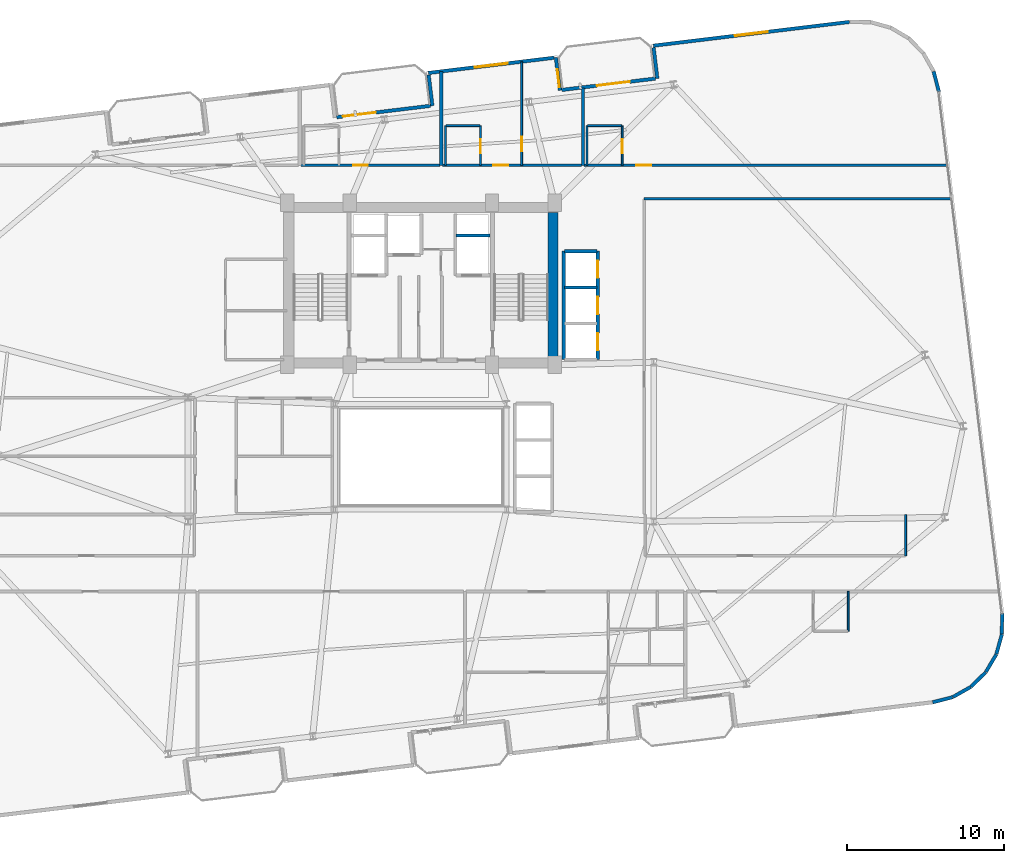
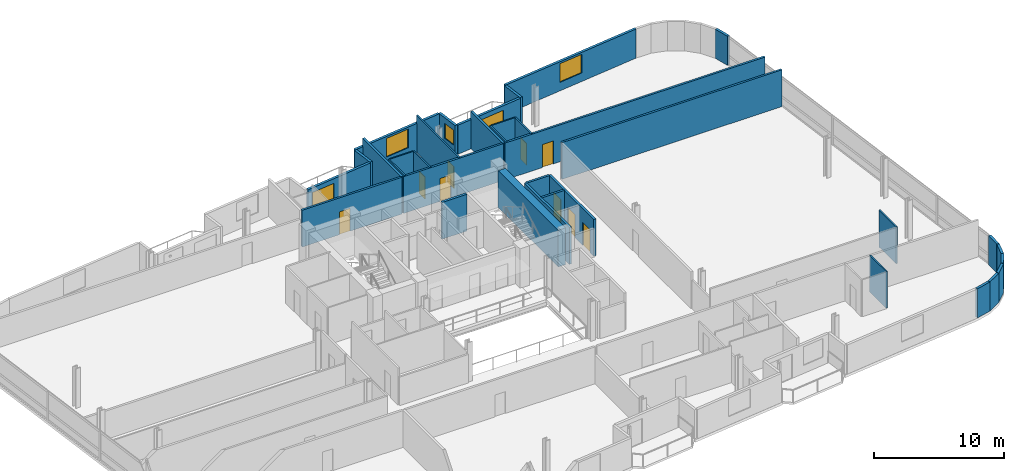
# One storey, part 17 of 22: 35 walls, 11 doors, 3 windows, 14 openings.
"""IFC4 building model written with IfcOpenShell, lengths in metres."""

from ifc_helpers import new_model, si_unit, direction, frame, frame_2d, origin, place, context, subcontext, project, spatial, rectangle, extrude, material, layer, layer_set, type_object, element, fill, save


model = new_model("IFC4")

# Units and contexts
model_context = context("Model", 3, precision=1e-05, world=origin(), true_north=direction((0.0, 1.0)))
body_context = subcontext(model_context, "Body", "Model", "MODEL_VIEW")
ifc_project = project(units=[si_unit("LENGTHUNIT", "METRE"), si_unit("AREAUNIT", "SQUARE_METRE"), si_unit("VOLUMEUNIT", "CUBIC_METRE"), si_unit("PLANEANGLEUNIT", "RADIAN"), si_unit("MASSUNIT", "GRAM", prefix="KILO")], contexts=[model_context])

# Site, building, storey
site_placement = place(None, origin())
site = spatial("IfcSite", under=ifc_project, at=site_placement, CompositionType="ELEMENT")
building_placement = place(site_placement, origin())
building = spatial("IfcBuilding", under=site, at=building_placement, Name="Varnelok Gate Tower", CompositionType="ELEMENT")
storey_placement = place(building_placement, frame((0.0, 0.0, 178.300048828125)))
storey = spatial("IfcBuildingStorey", under=building, at=storey_placement, Name="L45", CompositionType="ELEMENT", Elevation=178.300048828125)

# Wall, opening, door
ifc_material_1 = material(Name="Concrete C45/55", Category="concrete")
ifc_layer_1 = layer(ifc_material_1, 0.219970703125)
ifc_layer_set_1 = layer_set([ifc_layer_1], Name="Concrete C45/55")
wall_type_1 = type_object("IfcWallType", Name="EW-BALC-220", PredefinedType="SOLIDWALL", material=ifc_layer_set_1)
wall_1_placement = place(storey_placement, frame((33.852294921875, 44.48583984375, 0.0), z_axis=(0.0, 0.0, 1.0), x_axis=(0.992729951822, 0.120362962556, 0.0)))
wall_1 = element("IfcWall", 1, at=wall_1_placement, inside=storey, type_object=wall_type_1, Name="L45 North Terrace Envelope Wall 5", PredefinedType="SOLIDWALL", context=body_context, shape_type="SweptSolid", body=[
    extrude(rectangle(XDim=6.0, YDim=0.219970703125, at=frame_2d((3.0, 0.0))), origin(), (0.0, 0.0, 1.0), 2.72998046875),
])
opening_1_placement = place(wall_1_placement, frame((0.39990234375, 0.0, 0.0)))
opening_1 = element("IfcOpeningElement", 2, at=opening_1_placement, cuts=wall_1, Name="Opening BD-2", PredefinedType="OPENING", context=body_context, shape_type="SweptSolid", body=[
    extrude(rectangle(XDim=2.10009765625, YDim=2.300048828125, at=frame_2d((1.050048828125, 1.14990234375))), frame((0.0, 0.119873046875, 0.0), z_axis=(0.0, -1.0, 0.0), x_axis=(1.0, 0.0, 0.0)), (0.0, 0.0, 1.0), 0.239990234375),
])
ifc_material_2 = material(Name="Anodized Aluminum Alloy 6063-T6", Category="aluminium")
door_type_1 = type_object("IfcDoorType", Name="DR-EXT-SLID2100", OperationType="SLIDING_TO_LEFT", PredefinedType="DOOR", material=ifc_material_2)
door_1_placement = place(opening_1_placement, origin())
door_1 = element("IfcDoor", 3, at=door_1_placement, inside=storey, type_object=door_type_1, Name="L45 North Balcony Glazed Door 5", OperationType="SLIDING_TO_LEFT", OverallHeight=2.300048828125, OverallWidth=2.10009765625, PredefinedType="DOOR", context=body_context, shape_type="SweptSolid", body=[
    extrude(rectangle(XDim=2.10009765625, YDim=2.300048828125, at=frame_2d((1.050048828125, 1.14990234375))), frame((0.0, 0.02490234375, 0.0), z_axis=(0.0, -1.0, 0.0), x_axis=(1.0, 0.0, 0.0)), (0.0, 0.0, 1.0), 0.050048828125),
])
fill(opening_1, door_1)

wall_2_placement = place(storey_placement, frame((48.147705078125, 46.21875, 0.0), z_axis=(0.0, 0.0, 1.0), x_axis=(0.992729951822, 0.120362962556, 0.0)))
wall_2 = element("IfcWall", 4, at=wall_2_placement, inside=storey, type_object=wall_type_1, Name="L45 North Terrace Envelope Wall 6", PredefinedType="SOLIDWALL", context=body_context, shape_type="SweptSolid", body=[
    extrude(rectangle(XDim=6.0, YDim=0.219970703125, at=frame_2d((3.0, 0.0))), origin(), (0.0, 0.0, 1.0), 2.72998046875),
])
opening_2_placement = place(wall_2_placement, frame((2.260009765625, 0.0, 0.0)))
opening_2 = element("IfcOpeningElement", 5, at=opening_2_placement, cuts=wall_2, Name="Opening BD-2", PredefinedType="OPENING", context=body_context, shape_type="SweptSolid", body=[
    extrude(rectangle(XDim=2.10009765625, YDim=2.300048828125, at=frame_2d((1.050048828125, 1.14990234375))), frame((0.0, 0.119873046875, 0.0), z_axis=(0.0, -1.0, 0.0), x_axis=(1.0, 0.0, 0.0)), (0.0, 0.0, 1.0), 0.239990234375),
])
door_2_placement = place(opening_2_placement, origin())
door_2 = element("IfcDoor", 6, at=door_2_placement, inside=storey, type_object=door_type_1, Name="L45 North Balcony Glazed Door 6", OperationType="SLIDING_TO_LEFT", OverallHeight=2.300048828125, OverallWidth=2.10009765625, PredefinedType="DOOR", context=body_context, shape_type="SweptSolid", body=[
    extrude(rectangle(XDim=2.10009765625, YDim=2.300048828125, at=frame_2d((1.050048828125, 1.14990234375))), frame((0.0, 0.02490234375, 0.0), z_axis=(0.0, -1.0, 0.0), x_axis=(1.0, 0.0, 0.0)), (0.0, 0.0, 1.0), 0.050048828125),
])
fill(opening_2, door_2)

# Walls
wall_3_placement = place(storey_placement, frame((71.71875, 7.305908203125, 0.0), z_axis=(0.0, 0.0, 1.0), x_axis=(0.968541764193, 0.248851061909, 0.0)))
element("IfcWall", 7, at=wall_3_placement, inside=storey, type_object=wall_type_1, Name="L45 Perimeter Facade Closure Wall 17", PredefinedType="SOLIDWALL", context=body_context, shape_type="SweptSolid", body=[
    extrude(rectangle(XDim=1.308837890625, YDim=0.219970703125, at=frame_2d((0.654296875, 0.0))), origin(), (0.0, 0.0, 1.0), 2.72998046875),
])
for number, where, z_axis, x_axis, name in (
    (8, (73.00830078125, 7.64404296875, 0.0), (0.0, 0.0, 1.0), (0.87105877335, 0.491178799797, 0.0), "L45 Perimeter Facade Closure Wall 18"),
    (9, (74.1591796875, 8.30029296875, 0.0), (0.0, 0.0, 1.0), (0.714295394827, 0.699844331926, 0.0), "L45 Perimeter Facade Closure Wall 19"),
    (10, (75.101318359375, 9.232177734375, 0.0), (0.0, 0.0, 1.0), (0.508798863936, 0.860885425627, 0.0), "L45 Perimeter Facade Closure Wall 20"),
    (11, (75.77001953125, 10.376220703125, 0.0), (0.0, 0.0, 1.0), (0.26859243053, 0.963253915778, 0.0), "L45 Perimeter Facade Closure Wall 21"),
):
    element("IfcWall", number, at=place(storey_placement, frame(where, z_axis=z_axis, x_axis=x_axis)), inside=storey, type_object=wall_type_1, Name=name, PredefinedType="SOLIDWALL", context=body_context, shape_type="SweptSolid", body=[
        extrude(rectangle(XDim=1.30078125, YDim=0.219970703125, at=frame_2d((0.650390625, 0.0))), origin(), (0.0, 0.0, 1.0), 2.72998046875),
    ])
wall_4_placement = place(storey_placement, frame((76.11962890625, 11.654052734375, 0.0), z_axis=(0.0, 0.0, 1.0), x_axis=(0.01032033607, 0.999946743914, 0.0)))
element("IfcWall", 12, at=wall_4_placement, inside=storey, type_object=wall_type_1, Name="L45 Perimeter Facade Closure Wall 22", PredefinedType="SOLIDWALL", context=body_context, shape_type="SweptSolid", body=[
    extrude(rectangle(XDim=1.301025390625, YDim=0.219970703125, at=frame_2d((0.650390625, 0.0))), origin(), (0.0, 0.0, 1.0), 2.72998046875),
])
wall_5_placement = place(storey_placement, frame((72.113525390625, 46.1123046875, 0.0), z_axis=(0.0, 0.0, 1.0), x_axis=(-0.248942347653, 0.968518305219, 0.0)))
element("IfcWall", 13, at=wall_5_placement, inside=storey, type_object=wall_type_1, Name="L45 Perimeter Facade Closure Wall 23", PredefinedType="SOLIDWALL", context=body_context, shape_type="SweptSolid", body=[
    extrude(rectangle(XDim=1.325927734375, YDim=0.219970703125, at=frame_2d((0.6630859375, 0.0))), origin(), (0.0, 0.0, 1.0), 2.72998046875),
])

# Wall, opening, window
wall_6_placement = place(storey_placement, frame((66.427490234375, 50.5400390625, 0.0), z_axis=(0.0, 0.0, 1.0), x_axis=(-0.992731739233, -0.120348219431, 0.0)))
wall_6 = element("IfcWall", 14, at=wall_6_placement, inside=storey, type_object=wall_type_1, Name="L45 Perimeter Facade Closure Wall 29", PredefinedType="SOLIDWALL", context=body_context, shape_type="SweptSolid", body=[
    extrude(rectangle(XDim=12.547119140625, YDim=0.219970703125, at=frame_2d((6.2734375, 0.0))), origin(), (0.0, 0.0, 1.0), 2.72998046875),
])
opening_3_placement = place(wall_6_placement, frame((5.2236328125, 0.0, 0.800048828125)))
opening_3 = element("IfcOpeningElement", 15, at=opening_3_placement, cuts=wall_6, Name="Opening WN4", PredefinedType="OPENING", context=body_context, shape_type="SweptSolid", body=[
    extrude(rectangle(XDim=2.10009765625, YDim=1.75, at=frame_2d((1.050048828125, 0.875))), frame((0.0, 0.119873046875, 0.0), z_axis=(0.0, -1.0, 0.0), x_axis=(1.0, 0.0, 0.0)), (0.0, 0.0, 1.0), 0.239990234375),
])
ifc_material_3 = material(Name="Low-E Laminated Double Glazing IGU", Category="glass")
window_type_1 = type_object("IfcWindowType", Name="WN-SUI-2100", PartitioningType="SINGLE_PANEL", PredefinedType="WINDOW", material=ifc_material_3)
window_1_placement = place(opening_3_placement, origin())
window_1 = element("IfcWindow", 16, at=window_1_placement, inside=storey, type_object=window_type_1, Name="L45 Perimeter Vision Window 29", OverallHeight=1.75, OverallWidth=2.10009765625, PartitioningType="SINGLE_PANEL", PredefinedType="WINDOW", context=body_context, shape_type="SweptSolid", body=[
    extrude(rectangle(XDim=2.10009765625, YDim=1.75, at=frame_2d((1.050048828125, 0.875))), frame((0.0, 0.030029296875, 0.0), z_axis=(0.0, -1.0, 0.0), x_axis=(1.0, 0.0, 0.0)), (0.0, 0.0, 1.0), 0.06005859375),
])
fill(opening_3, window_1)

# Wall
wall_7_placement = place(storey_placement, frame((53.986572265625, 48.906005859375, 0.0), z_axis=(0.0, 0.0, 1.0), x_axis=(0.120397815541, -0.992725725472, 0.0)))
element("IfcWall", 17, at=wall_7_placement, inside=storey, type_object=wall_type_1, Name="L45 Perimeter Facade Closure Wall 30", PredefinedType="SOLIDWALL", context=body_context, shape_type="SweptSolid", body=[
    extrude(rectangle(XDim=1.97509765625, YDim=0.219970703125, at=frame_2d((0.987548828125, 0.0))), origin(), (0.0, 0.0, 1.0), 2.72998046875),
])

# Wall, opening, window
wall_8_placement = place(storey_placement, frame((48.029541015625, 46.1943359375, 0.0), z_axis=(0.0, 0.0, 1.0), x_axis=(-0.120314009587, 0.992735885871, 0.0)))
wall_8 = element("IfcWall", 18, at=wall_8_placement, inside=storey, type_object=wall_type_1, Name="L45 Perimeter Facade Closure Wall 31", PredefinedType="SOLIDWALL", context=body_context, shape_type="SweptSolid", body=[
    extrude(rectangle(XDim=2.10009765625, YDim=0.219970703125, at=frame_2d((1.050048828125, 0.0))), origin(), (0.0, 0.0, 1.0), 2.72998046875),
])
opening_4_placement = place(wall_8_placement, frame((0.199951171875, 0.0, 0.800048828125)))
opening_4 = element("IfcOpeningElement", 19, at=opening_4_placement, cuts=wall_8, Name="Opening WN8", PredefinedType="OPENING", context=body_context, shape_type="SweptSolid", body=[
    extrude(rectangle(XDim=1.14990234375, YDim=1.39990234375, at=frame_2d((0.574951171875, 0.699951171875))), frame((0.0, 0.119873046875, 0.0), z_axis=(0.0, -1.0, 0.0), x_axis=(1.0, 0.0, 0.0)), (0.0, 0.0, 1.0), 0.239990234375),
])
window_type_2 = type_object("IfcWindowType", Name="WN-BED-1150", PartitioningType="SINGLE_PANEL", PredefinedType="WINDOW", material=ifc_material_3)
window_2_placement = place(opening_4_placement, origin())
window_2 = element("IfcWindow", 20, at=window_2_placement, inside=storey, type_object=window_type_2, Name="L45 Bedroom Vision Window 25", OverallHeight=1.39990234375, OverallWidth=1.14990234375, PartitioningType="SINGLE_PANEL", PredefinedType="WINDOW", context=body_context, shape_type="SweptSolid", body=[
    extrude(rectangle(XDim=1.14990234375, YDim=1.39990234375, at=frame_2d((0.574951171875, 0.699951171875))), frame((0.0, 0.030029296875, 0.0), z_axis=(0.0, -1.0, 0.0), x_axis=(1.0, 0.0, 0.0)), (0.0, 0.0, 1.0), 0.06005859375),
])
fill(opening_4, window_2)

wall_9_placement = place(storey_placement, frame((47.65283203125, 48.26416015625, 0.0), z_axis=(0.0, 0.0, 1.0), x_axis=(-0.992731032022, -0.120354052946, 0.0)))
wall_9 = element("IfcWall", 21, at=wall_9_placement, inside=storey, type_object=wall_type_1, Name="L45 Perimeter Facade Closure Wall 32", PredefinedType="SOLIDWALL", context=body_context, shape_type="SweptSolid", body=[
    extrude(rectangle(XDim=8.034912109375, YDim=0.219970703125, at=frame_2d((4.017578125, 0.0))), origin(), (0.0, 0.0, 1.0), 2.72998046875),
])
opening_5_placement = place(wall_9_placement, frame((2.967529296875, 0.0, 0.800048828125)))
opening_5 = element("IfcOpeningElement", 22, at=opening_5_placement, cuts=wall_9, Name="Opening WN4", PredefinedType="OPENING", context=body_context, shape_type="SweptSolid", body=[
    extrude(rectangle(XDim=2.10009765625, YDim=1.75, at=frame_2d((1.050048828125, 0.875))), frame((0.0, 0.119873046875, 0.0), z_axis=(0.0, -1.0, 0.0), x_axis=(1.0, 0.0, 0.0)), (0.0, 0.0, 1.0), 0.239990234375),
])
window_3_placement = place(opening_5_placement, origin())
window_3 = element("IfcWindow", 23, at=window_3_placement, inside=storey, type_object=window_type_1, Name="L45 Perimeter Vision Window 32", OverallHeight=1.75, OverallWidth=2.10009765625, PartitioningType="SINGLE_PANEL", PredefinedType="WINDOW", context=body_context, shape_type="SweptSolid", body=[
    extrude(rectangle(XDim=2.10009765625, YDim=1.75, at=frame_2d((1.050048828125, 0.875))), frame((0.0, 0.030029296875, 0.0), z_axis=(0.0, -1.0, 0.0), x_axis=(1.0, 0.0, 0.0)), (0.0, 0.0, 1.0), 0.06005859375),
])
fill(opening_5, window_3)

# Wall
wall_10_placement = place(storey_placement, frame((39.691162109375, 47.173095703125, 0.0), z_axis=(0.0, 0.0, 1.0), x_axis=(0.120397815541, -0.992725725472, 0.0)))
element("IfcWall", 24, at=wall_10_placement, inside=storey, type_object=wall_type_1, Name="L45 Perimeter Facade Closure Wall 33", PredefinedType="SOLIDWALL", context=body_context, shape_type="SweptSolid", body=[
    extrude(rectangle(XDim=1.97509765625, YDim=0.219970703125, at=frame_2d((0.987548828125, 0.0))), origin(), (0.0, 0.0, 1.0), 2.72998046875),
])

# Wall, opening, door
ifc_material_4 = material(Name="Gypsum Plasterboard Acoustic Partition", Category="gypsum")
ifc_layer_2 = layer(ifc_material_4, 0.179931640625)
ifc_layer_set_2 = layer_set([ifc_layer_2], Name="Gypsum Plasterboard Acoustic Partition")
wall_type_2 = type_object("IfcWallType", Name="PW-CORR-180", PredefinedType="PARTITIONING", material=ifc_layer_set_2)
wall_11_placement = place(storey_placement, frame((31.580078125, 41.429931640625, 0.0), z_axis=(0.0, 0.0, 1.0), x_axis=(1.0, 0.0, 0.0)))
wall_11 = element("IfcWall", 25, at=wall_11_placement, inside=storey, type_object=wall_type_2, Name="Interior Partition", PredefinedType="PARTITIONING", context=body_context, shape_type="SweptSolid", body=[
    extrude(rectangle(XDim=8.83984375, YDim=0.179931640625, at=frame_2d((4.419921875, 0.0))), origin(), (0.0, 0.0, 1.0), 3.449951171875),
])
opening_6_placement = place(wall_11_placement, frame((3.307861328125, 0.0, 0.0)))
opening_6 = element("IfcOpeningElement", 26, at=opening_6_placement, cuts=wall_11, Name="Opening D-HT", PredefinedType="OPENING", context=body_context, shape_type="SweptSolid", body=[
    extrude(rectangle(XDim=0.949951171875, YDim=2.14990234375, at=frame_2d((0.47509765625, 1.074951171875))), frame((0.0, 0.099853515625, 0.0), z_axis=(0.0, -1.0, 0.0), x_axis=(1.0, 0.0, 0.0)), (0.0, 0.0, 1.0), 0.199951171875),
])
ifc_material_5 = material(Name="Engineered Hardwood Timber", Category="wood")
door_type_2 = type_object("IfcDoorType", Name="DR-HTL-950", OperationType="NOTDEFINED", PredefinedType="DOOR", material=ifc_material_5)
door_3_placement = place(opening_6_placement, origin())
door_3 = element("IfcDoor", 27, at=door_3_placement, inside=storey, type_object=door_type_2, Name="L45 Guest Room 06 Entrance Door", OperationType="SINGLE_SWING_LEFT", OverallHeight=2.14990234375, OverallWidth=0.949951171875, PredefinedType="DOOR", context=body_context, shape_type="SweptSolid", body=[
    extrude(rectangle(XDim=0.949951171875, YDim=2.14990234375, at=frame_2d((0.47509765625, 1.074951171875))), frame((0.0, 0.02490234375, 0.0), z_axis=(0.0, -1.0, 0.0), x_axis=(1.0, 0.0, 0.0)), (0.0, 0.0, 1.0), 0.050048828125),
])
fill(opening_6, door_3)

wall_12_placement = place(storey_placement, frame((40.580078125, 41.429931640625, 0.0), z_axis=(0.0, 0.0, 1.0), x_axis=(1.0, 0.0, 0.0)))
wall_12 = element("IfcWall", 28, at=wall_12_placement, inside=storey, type_object=wall_type_2, Name="Interior Partition", PredefinedType="PARTITIONING", context=body_context, shape_type="SweptSolid", body=[
    extrude(rectangle(XDim=8.83984375, YDim=0.179931640625, at=frame_2d((4.419921875, 0.0))), origin(), (0.0, 0.0, 1.0), 3.449951171875),
])
opening_7_placement = place(wall_12_placement, frame((3.22998046875, 0.0, 0.0)))
opening_7 = element("IfcOpeningElement", 29, at=opening_7_placement, cuts=wall_12, Name="Opening D-HT", PredefinedType="OPENING", context=body_context, shape_type="SweptSolid", body=[
    extrude(rectangle(XDim=0.949951171875, YDim=2.14990234375, at=frame_2d((0.47509765625, 1.074951171875))), frame((0.0, 0.099853515625, 0.0), z_axis=(0.0, -1.0, 0.0), x_axis=(1.0, 0.0, 0.0)), (0.0, 0.0, 1.0), 0.199951171875),
])
door_4_placement = place(opening_7_placement, origin())
door_4 = element("IfcDoor", 30, at=door_4_placement, inside=storey, type_object=door_type_2, Name="L45 Guest Room 07 Entrance Door", OperationType="SINGLE_SWING_RIGHT", OverallHeight=2.14990234375, OverallWidth=0.949951171875, PredefinedType="DOOR", context=body_context, shape_type="SweptSolid", body=[
    extrude(rectangle(XDim=0.949951171875, YDim=2.14990234375, at=frame_2d((0.47509765625, 1.074951171875))), frame((0.0, 0.02490234375, 0.0), z_axis=(0.0, -1.0, 0.0), x_axis=(1.0, 0.0, 0.0)), (0.0, 0.0, 1.0), 0.050048828125),
])
fill(opening_7, door_4)

wall_13_placement = place(storey_placement, frame((49.580078125, 41.429931640625, 0.0), z_axis=(0.0, 0.0, 1.0), x_axis=(1.0, 0.0, 0.0)))
wall_13 = element("IfcWall", 31, at=wall_13_placement, inside=storey, type_object=wall_type_2, Name="Interior Partition", PredefinedType="PARTITIONING", context=body_context, shape_type="SweptSolid", body=[
    extrude(rectangle(XDim=23.0419921875, YDim=0.179931640625, at=frame_2d((11.52099609375, 0.0))), origin(), (0.0, 0.0, 1.0), 3.449951171875),
])
opening_8_placement = place(wall_13_placement, frame((3.316650390625, 0.0, 0.0)))
opening_8 = element("IfcOpeningElement", 32, at=opening_8_placement, cuts=wall_13, Name="Opening D-HT", PredefinedType="OPENING", context=body_context, shape_type="SweptSolid", body=[
    extrude(rectangle(XDim=0.949951171875, YDim=2.14990234375, at=frame_2d((0.47509765625, 1.074951171875))), frame((0.0, 0.099853515625, 0.0), z_axis=(0.0, -1.0, 0.0), x_axis=(1.0, 0.0, 0.0)), (0.0, 0.0, 1.0), 0.199951171875),
])
door_5_placement = place(opening_8_placement, origin())
door_5 = element("IfcDoor", 33, at=door_5_placement, inside=storey, type_object=door_type_2, Name="L45 Guest Room 08 Entrance Door", OperationType="SINGLE_SWING_LEFT", OverallHeight=2.14990234375, OverallWidth=0.949951171875, PredefinedType="DOOR", context=body_context, shape_type="SweptSolid", body=[
    extrude(rectangle(XDim=0.949951171875, YDim=2.14990234375, at=frame_2d((0.47509765625, 1.074951171875))), frame((0.0, 0.02490234375, 0.0), z_axis=(0.0, -1.0, 0.0), x_axis=(1.0, 0.0, 0.0)), (0.0, 0.0, 1.0), 0.050048828125),
])
fill(opening_8, door_5)

# Walls
wall_14_placement = place(storey_placement, frame((53.389892578125, 39.300048828125, 0.0), z_axis=(0.0, 0.0, 1.0), x_axis=(1.0, 0.0, 0.0)))
element("IfcWall", 34, at=wall_14_placement, inside=storey, type_object=wall_type_2, Name="Interior Partition", PredefinedType="PARTITIONING", context=body_context, shape_type="SweptSolid", body=[
    extrude(rectangle(XDim=19.490234375, YDim=0.179931640625, at=frame_2d((9.7451171875, 0.0))), origin(), (0.0, 0.0, 1.0), 3.449951171875),
])
ifc_layer_3 = layer(ifc_material_4, 0.114990234375)
ifc_layer_set_3 = layer_set([ifc_layer_3], Name="Gypsum Plasterboard Acoustic Partition")
wall_type_3 = type_object("IfcWallType", Name="PW-ENS-125", PredefinedType="PARTITIONING", material=ifc_layer_set_3)
wall_15_placement = place(storey_placement, frame((66.360107421875, 11.830078125, 0.0), z_axis=(0.0, 0.0, 1.0), x_axis=(0.0, 1.0, 0.0)))
element("IfcWall", 35, at=wall_15_placement, inside=storey, type_object=wall_type_3, Name="Interior Partition", PredefinedType="PARTITIONING", context=body_context, shape_type="SweptSolid", body=[
    extrude(rectangle(XDim=2.52001953125, YDim=0.114990234375, at=frame_2d((1.260009765625, 0.0))), origin(), (0.0, 0.0, 1.0), 3.449951171875),
])
wall_16_placement = place(storey_placement, frame((40.800048828125, 43.949951171875, 0.0), z_axis=(0.0, 0.0, 1.0), x_axis=(1.0, 0.0, 0.0)))
element("IfcWall", 36, at=wall_16_placement, inside=storey, type_object=wall_type_3, Name="Interior Partition", PredefinedType="PARTITIONING", context=body_context, shape_type="SweptSolid", body=[
    extrude(rectangle(XDim=2.14990234375, YDim=0.114990234375, at=frame_2d((1.074951171875, 0.0))), origin(), (0.0, 0.0, 1.0), 3.449951171875),
])

# Wall, opening, door
wall_17_placement = place(storey_placement, frame((42.989990234375, 41.429931640625, 0.0), z_axis=(0.0, 0.0, 1.0), x_axis=(0.0, 1.0, 0.0)))
wall_17 = element("IfcWall", 37, at=wall_17_placement, inside=storey, type_object=wall_type_3, Name="Interior Partition", PredefinedType="PARTITIONING", context=body_context, shape_type="SweptSolid", body=[
    extrude(rectangle(XDim=2.52001953125, YDim=0.114990234375, at=frame_2d((1.260009765625, 0.0))), origin(), (0.0, 0.0, 1.0), 3.449951171875),
])
opening_9_placement = place(wall_17_placement, frame((0.760009765625, 0.0, 0.0)))
opening_9 = element("IfcOpeningElement", 38, at=opening_9_placement, cuts=wall_17, Name="Opening D-WC", PredefinedType="OPENING", context=body_context, shape_type="SweptSolid", body=[
    extrude(rectangle(XDim=0.89990234375, YDim=2.050048828125, at=frame_2d((0.449951171875, 1.02490234375))), frame((0.0, 0.0673828125, 0.0), z_axis=(0.0, -1.0, 0.0), x_axis=(1.0, 0.0, 0.0)), (0.0, 0.0, 1.0), 0.135009765625),
])
door_type_3 = type_object("IfcDoorType", Name="DR-BATH-900", OperationType="NOTDEFINED", PredefinedType="DOOR", material=ifc_material_5)
door_6_placement = place(opening_9_placement, origin())
door_6 = element("IfcDoor", 39, at=door_6_placement, inside=storey, type_object=door_type_3, Name="L45 North En-Suite 07 Door", OperationType="SINGLE_SWING_RIGHT", OverallHeight=2.050048828125, OverallWidth=0.89990234375, PredefinedType="DOOR", context=body_context, shape_type="SweptSolid", body=[
    extrude(rectangle(XDim=0.89990234375, YDim=2.050048828125, at=frame_2d((0.449951171875, 1.02490234375))), frame((0.0, 0.02490234375, 0.0), z_axis=(0.0, -1.0, 0.0), x_axis=(1.0, 0.0, 0.0)), (0.0, 0.0, 1.0), 0.050048828125),
])
fill(opening_9, door_6)

# Walls
wall_18_placement = place(storey_placement, frame((40.760009765625, 41.429931640625, 0.0), z_axis=(0.0, 0.0, 1.0), x_axis=(0.0, 1.0, 0.0)))
element("IfcWall", 40, at=wall_18_placement, inside=storey, type_object=wall_type_3, Name="Interior Partition", PredefinedType="PARTITIONING", context=body_context, shape_type="SweptSolid", body=[
    extrude(rectangle(XDim=2.52001953125, YDim=0.114990234375, at=frame_2d((1.260009765625, 0.0))), origin(), (0.0, 0.0, 1.0), 3.449951171875),
])
wall_19_placement = place(storey_placement, frame((49.800048828125, 43.949951171875, 0.0), z_axis=(0.0, 0.0, 1.0), x_axis=(1.0, 0.0, 0.0)))
element("IfcWall", 41, at=wall_19_placement, inside=storey, type_object=wall_type_3, Name="Interior Partition", PredefinedType="PARTITIONING", context=body_context, shape_type="SweptSolid", body=[
    extrude(rectangle(XDim=2.14990234375, YDim=0.114990234375, at=frame_2d((1.074951171875, 0.0))), origin(), (0.0, 0.0, 1.0), 3.449951171875),
])

# Wall, opening, door
wall_20_placement = place(storey_placement, frame((51.989990234375, 41.429931640625, 0.0), z_axis=(0.0, 0.0, 1.0), x_axis=(0.0, 1.0, 0.0)))
wall_20 = element("IfcWall", 42, at=wall_20_placement, inside=storey, type_object=wall_type_3, Name="Interior Partition", PredefinedType="PARTITIONING", context=body_context, shape_type="SweptSolid", body=[
    extrude(rectangle(XDim=2.52001953125, YDim=0.114990234375, at=frame_2d((1.260009765625, 0.0))), origin(), (0.0, 0.0, 1.0), 3.449951171875),
])
opening_10_placement = place(wall_20_placement, frame((0.760009765625, 0.0, 0.0)))
opening_10 = element("IfcOpeningElement", 43, at=opening_10_placement, cuts=wall_20, Name="Opening D-WC", PredefinedType="OPENING", context=body_context, shape_type="SweptSolid", body=[
    extrude(rectangle(XDim=0.89990234375, YDim=2.050048828125, at=frame_2d((0.449951171875, 1.02490234375))), frame((0.0, 0.0673828125, 0.0), z_axis=(0.0, -1.0, 0.0), x_axis=(1.0, 0.0, 0.0)), (0.0, 0.0, 1.0), 0.135009765625),
])
door_7_placement = place(opening_10_placement, origin())
door_7 = element("IfcDoor", 44, at=door_7_placement, inside=storey, type_object=door_type_3, Name="L45 North En-Suite 08 Door", OperationType="SINGLE_SWING_RIGHT", OverallHeight=2.050048828125, OverallWidth=0.89990234375, PredefinedType="DOOR", context=body_context, shape_type="SweptSolid", body=[
    extrude(rectangle(XDim=0.89990234375, YDim=2.050048828125, at=frame_2d((0.449951171875, 1.02490234375))), frame((0.0, 0.02490234375, 0.0), z_axis=(0.0, -1.0, 0.0), x_axis=(1.0, 0.0, 0.0)), (0.0, 0.0, 1.0), 0.050048828125),
])
fill(opening_10, door_7)

# Walls
wall_21_placement = place(storey_placement, frame((49.760009765625, 41.429931640625, 0.0), z_axis=(0.0, 0.0, 1.0), x_axis=(0.0, 1.0, 0.0)))
element("IfcWall", 45, at=wall_21_placement, inside=storey, type_object=wall_type_3, Name="Interior Partition", PredefinedType="PARTITIONING", context=body_context, shape_type="SweptSolid", body=[
    extrude(rectangle(XDim=2.52001953125, YDim=0.114990234375, at=frame_2d((1.260009765625, 0.0))), origin(), (0.0, 0.0, 1.0), 3.449951171875),
])
ifc_layer_4 = layer(ifc_material_4, 0.125)
ifc_layer_set_4 = layer_set([ifc_layer_4], Name="Gypsum Plasterboard Acoustic Partition")
wall_type_4 = type_object("IfcWallType", Name="PW-PART-125", PredefinedType="PARTITIONING", material=ifc_layer_set_4)
wall_22_placement = place(storey_placement, frame((70.0, 16.610107421875, 0.0), z_axis=(0.0, 0.0, 1.0), x_axis=(0.0, 1.0, 0.0)))
element("IfcWall", 46, at=wall_22_placement, inside=storey, type_object=wall_type_4, Name="Interior Partition", PredefinedType="PARTITIONING", context=body_context, shape_type="SweptSolid", body=[
    extrude(rectangle(XDim=2.6298828125, YDim=0.125, at=frame_2d((1.31494140625, 0.0))), origin(), (0.0, 0.0, 1.0), 3.449951171875),
])

# Wall, opening, door
wall_23_placement = place(storey_placement, frame((45.60009765625, 41.429931640625, 0.0), z_axis=(0.0, 0.0, 1.0), x_axis=(0.0, 1.0, 0.0)))
wall_23 = element("IfcWall", 47, at=wall_23_placement, inside=storey, type_object=wall_type_4, Name="Interior Partition", PredefinedType="PARTITIONING", context=body_context, shape_type="SweptSolid", body=[
    extrude(rectangle(XDim=6.565185546875, YDim=0.125, at=frame_2d((3.28271484375, 0.0))), origin(), (0.0, 0.0, 1.0), 3.449951171875),
])
opening_11_placement = place(wall_23_placement, frame((0.884765625, 0.0, 0.0)))
opening_11 = element("IfcOpeningElement", 48, at=opening_11_placement, cuts=wall_23, Name="Opening D-I3", PredefinedType="OPENING", context=body_context, shape_type="SweptSolid", body=[
    extrude(rectangle(XDim=0.919921875, YDim=2.050048828125, at=frame_2d((0.4599609375, 1.02490234375))), frame((0.0, 0.072509765625, 0.0), z_axis=(0.0, -1.0, 0.0), x_axis=(1.0, 0.0, 0.0)), (0.0, 0.0, 1.0), 0.14501953125),
])
door_type_4 = type_object("IfcDoorType", Name="DR-INT-920", OperationType="NOTDEFINED", PredefinedType="DOOR", material=ifc_material_5)
door_8_placement = place(opening_11_placement, origin())
door_8 = element("IfcDoor", 49, at=door_8_placement, inside=storey, type_object=door_type_4, Name="L45 Suite Bedroom Door 7", OperationType="SINGLE_SWING_LEFT", OverallHeight=2.050048828125, OverallWidth=0.919921875, PredefinedType="DOOR", context=body_context, shape_type="SweptSolid", body=[
    extrude(rectangle(XDim=0.919921875, YDim=2.050048828125, at=frame_2d((0.4599609375, 1.02490234375))), frame((0.0, 0.02490234375, 0.0), z_axis=(0.0, -1.0, 0.0), x_axis=(1.0, 0.0, 0.0)), (0.0, 0.0, 1.0), 0.050048828125),
])
fill(opening_11, door_8)

# Walls
ifc_layer_5 = layer(ifc_material_4, 0.205078125)
ifc_layer_set_5 = layer_set([ifc_layer_5], Name="Gypsum Plasterboard Acoustic Partition")
wall_type_5 = type_object("IfcWallType", Name="PW-PARTY-200", PredefinedType="PARTITIONING", material=ifc_layer_set_5)
wall_24_placement = place(storey_placement, frame((40.5, 41.429931640625, 0.0), z_axis=(0.0, 0.0, 1.0), x_axis=(0.0, 1.0, 0.0)))
element("IfcWall", 50, at=wall_24_placement, inside=storey, type_object=wall_type_5, Name="L45 North Party Wall 2", PredefinedType="PARTITIONING", context=body_context, shape_type="SweptSolid", body=[
    extrude(rectangle(XDim=5.947021484375, YDim=0.205078125, at=frame_2d((2.9736328125, 0.0))), origin(), (0.0, 0.0, 1.0), 3.449951171875),
])
wall_25_placement = place(storey_placement, frame((49.5, 41.429931640625, 0.0), z_axis=(0.0, 0.0, 1.0), x_axis=(0.0, 1.0, 0.0)))
element("IfcWall", 51, at=wall_25_placement, inside=storey, type_object=wall_type_5, Name="L45 North Party Wall 3", PredefinedType="PARTITIONING", context=body_context, shape_type="SweptSolid", body=[
    extrude(rectangle(XDim=4.922607421875, YDim=0.205078125, at=frame_2d((2.46142578125, 0.0))), origin(), (0.0, 0.0, 1.0), 3.449951171875),
])
ifc_material_6 = material(Name="Concrete C35/45", Category="concrete")
ifc_layer_6 = layer(ifc_material_6, 0.199951171875)
ifc_layer_set_6 = layer_set([ifc_layer_6], Name="Concrete C35/45")
wall_type_6 = type_object("IfcWallType", Name="PW-SHAFT-200", PredefinedType="PARTITIONING", material=ifc_layer_set_6)
wall_26_placement = place(storey_placement, frame((41.419921875, 36.97998046875, 0.0), z_axis=(0.0, 0.0, 1.0), x_axis=(1.0, 0.0, 0.0)))
element("IfcWall", 52, at=wall_26_placement, inside=storey, type_object=wall_type_6, Name="L45 FF2 Shaft North Wall", PredefinedType="PARTITIONING", context=body_context, shape_type="SweptSolid", body=[
    extrude(rectangle(XDim=2.18017578125, YDim=0.199951171875, at=frame_2d((1.090087890625, 0.0))), origin(), (0.0, 0.0, 1.0), 3.449951171875),
])
for number, where, z_axis, x_axis, name in (
    (53, (48.320068359375, 33.675048828125, 0.0), (0.0, 0.0, 1.0), (1.0, 0.0, 0.0), "L45 PM2 Divider"),
    (54, (48.320068359375, 35.969970703125, 0.0), (0.0, 0.0, 1.0), (1.0, 0.0, 0.0), "L45 PM Bank North Wall"),
):
    element("IfcWall", number, at=place(storey_placement, frame(where, z_axis=z_axis, x_axis=x_axis)), inside=storey, type_object=wall_type_6, Name=name, PredefinedType="PARTITIONING", context=body_context, shape_type="SweptSolid", body=[
        extrude(rectangle(XDim=2.059814453125, YDim=0.199951171875, at=frame_2d((1.02978515625, 0.0))), origin(), (0.0, 0.0, 1.0), 3.449951171875),
    ])
wall_27_placement = place(storey_placement, frame((48.280029296875, 29.080078125, 0.0), z_axis=(0.0, 0.0, 1.0), x_axis=(0.0, 1.0, 0.0)))
element("IfcWall", 55, at=wall_27_placement, inside=storey, type_object=wall_type_6, Name="L45 PM Bank Back Wall", PredefinedType="PARTITIONING", context=body_context, shape_type="SweptSolid", body=[
    extrude(rectangle(XDim=6.889892578125, YDim=0.199951171875, at=frame_2d((3.44482421875, 0.0))), origin(), (0.0, 0.0, 1.0), 3.449951171875),
])

# Wall, openings, doors
wall_28_placement = place(storey_placement, frame((50.43994140625, 29.080078125, 0.0), z_axis=(0.0, 0.0, 1.0), x_axis=(0.0, 1.0, 0.0)))
wall_28 = element("IfcWall", 56, at=wall_28_placement, inside=storey, type_object=wall_type_6, Name="L45 PM Bank Front Wall", PredefinedType="PARTITIONING", context=body_context, shape_type="SweptSolid", body=[
    extrude(rectangle(XDim=6.889892578125, YDim=0.199951171875, at=frame_2d((3.44482421875, 0.0))), origin(), (0.0, 0.0, 1.0), 3.449951171875),
])
opening_12_placement = place(wall_28_placement, frame((0.590087890625, 0.0, 0.0)))
opening_12 = element("IfcOpeningElement", 57, at=opening_12_placement, cuts=wall_28, Name="Opening LD-PM1", PredefinedType="OPENING", context=body_context, shape_type="SweptSolid", body=[
    extrude(rectangle(XDim=1.10009765625, YDim=2.14990234375, at=frame_2d((0.550048828125, 1.074951171875))), frame((0.0, 0.10986328125, 0.0), z_axis=(0.0, -1.0, 0.0), x_axis=(1.0, 0.0, 0.0)), (0.0, 0.0, 1.0), 0.219970703125),
])
opening_13_placement = place(wall_28_placement, frame((2.889892578125, 0.0, 0.0)))
opening_13 = element("IfcOpeningElement", 58, at=opening_13_placement, cuts=wall_28, Name="Opening LD-PM2", PredefinedType="OPENING", context=body_context, shape_type="SweptSolid", body=[
    extrude(rectangle(XDim=1.10009765625, YDim=2.14990234375, at=frame_2d((0.550048828125, 1.074951171875))), frame((0.0, 0.10986328125, 0.0), z_axis=(0.0, -1.0, 0.0), x_axis=(1.0, 0.0, 0.0)), (0.0, 0.0, 1.0), 0.219970703125),
])
opening_14_placement = place(wall_28_placement, frame((5.18994140625, 0.0, 0.0)))
opening_14 = element("IfcOpeningElement", 59, at=opening_14_placement, cuts=wall_28, Name="Opening LD-PM3", PredefinedType="OPENING", context=body_context, shape_type="SweptSolid", body=[
    extrude(rectangle(XDim=1.10009765625, YDim=2.14990234375, at=frame_2d((0.550048828125, 1.074951171875))), frame((0.0, 0.10986328125, 0.0), z_axis=(0.0, -1.0, 0.0), x_axis=(1.0, 0.0, 0.0)), (0.0, 0.0, 1.0), 0.219970703125),
])
ifc_material_7 = material(Name="Galvanized Steel Grade S350GD", Category="steel")
door_type_5 = type_object("IfcDoorType", Name="DR-LIFT-PAX1100", OperationType="SLIDING_TO_LEFT", PredefinedType="DOOR", material=ifc_material_7)
door_9_placement = place(opening_12_placement, origin())
door_9 = element("IfcDoor", 60, at=door_9_placement, inside=storey, type_object=door_type_5, Name="L45 Passenger Lift Landing Door LD-PM1", OperationType="SLIDING_TO_LEFT", OverallHeight=2.14990234375, OverallWidth=1.10009765625, PredefinedType="DOOR", context=body_context, shape_type="SweptSolid", body=[
    extrude(rectangle(XDim=1.10009765625, YDim=2.14990234375, at=frame_2d((0.550048828125, 1.074951171875))), frame((0.0, 0.02490234375, 0.0), z_axis=(0.0, -1.0, 0.0), x_axis=(1.0, 0.0, 0.0)), (0.0, 0.0, 1.0), 0.050048828125),
])
fill(opening_12, door_9)
door_10_placement = place(opening_13_placement, origin())
door_10 = element("IfcDoor", 61, at=door_10_placement, inside=storey, type_object=door_type_5, Name="L45 Passenger Lift Landing Door LD-PM2", OperationType="SLIDING_TO_LEFT", OverallHeight=2.14990234375, OverallWidth=1.10009765625, PredefinedType="DOOR", context=body_context, shape_type="SweptSolid", body=[
    extrude(rectangle(XDim=1.10009765625, YDim=2.14990234375, at=frame_2d((0.550048828125, 1.074951171875))), frame((0.0, 0.02490234375, 0.0), z_axis=(0.0, -1.0, 0.0), x_axis=(1.0, 0.0, 0.0)), (0.0, 0.0, 1.0), 0.050048828125),
])
fill(opening_13, door_10)
door_11_placement = place(opening_14_placement, origin())
door_11 = element("IfcDoor", 62, at=door_11_placement, inside=storey, type_object=door_type_5, Name="L45 Passenger Lift Landing Door LD-PM3", OperationType="SLIDING_TO_LEFT", OverallHeight=2.14990234375, OverallWidth=1.10009765625, PredefinedType="DOOR", context=body_context, shape_type="SweptSolid", body=[
    extrude(rectangle(XDim=1.10009765625, YDim=2.14990234375, at=frame_2d((0.550048828125, 1.074951171875))), frame((0.0, 0.02490234375, 0.0), z_axis=(0.0, -1.0, 0.0), x_axis=(1.0, 0.0, 0.0)), (0.0, 0.0, 1.0), 0.050048828125),
])
fill(opening_14, door_11)

# Wall
ifc_material_8 = material(Name="Concrete C60/75", Category="concrete")
ifc_layer_7 = layer(ifc_material_8, 0.64990234375)
ifc_layer_set_7 = layer_set([ifc_layer_7], Name="Concrete C60/75")
wall_type_7 = type_object("IfcWallType", Name="SW-CORE-650", PredefinedType="SHEAR", material=ifc_layer_set_7)
wall_29_placement = place(storey_placement, frame((47.594970703125, 29.199951171875, 0.0), z_axis=(0.0, 0.0, 1.0), x_axis=(0.0, 1.0, 0.0)))
element("IfcWall", 63, at=wall_29_placement, inside=storey, type_object=wall_type_7, Name="L45 Rear Core East Shear Wall", PredefinedType="SHEAR", context=body_context, shape_type="SweptSolid", body=[
    extrude(rectangle(XDim=9.219970703125, YDim=0.64990234375, at=frame_2d((4.60986328125, 0.0))), origin(), (0.0, 0.0, 1.0), 3.449951171875),
])

save(model, "model.ifc")
